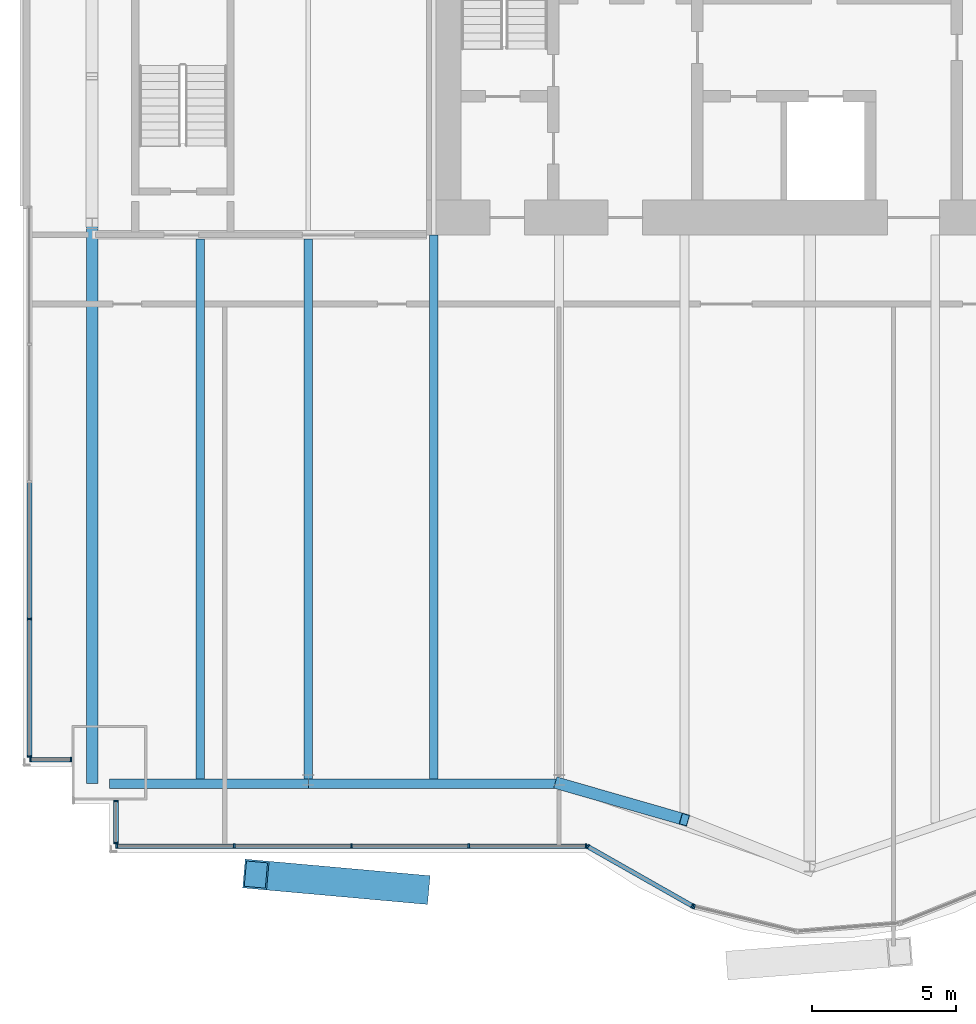
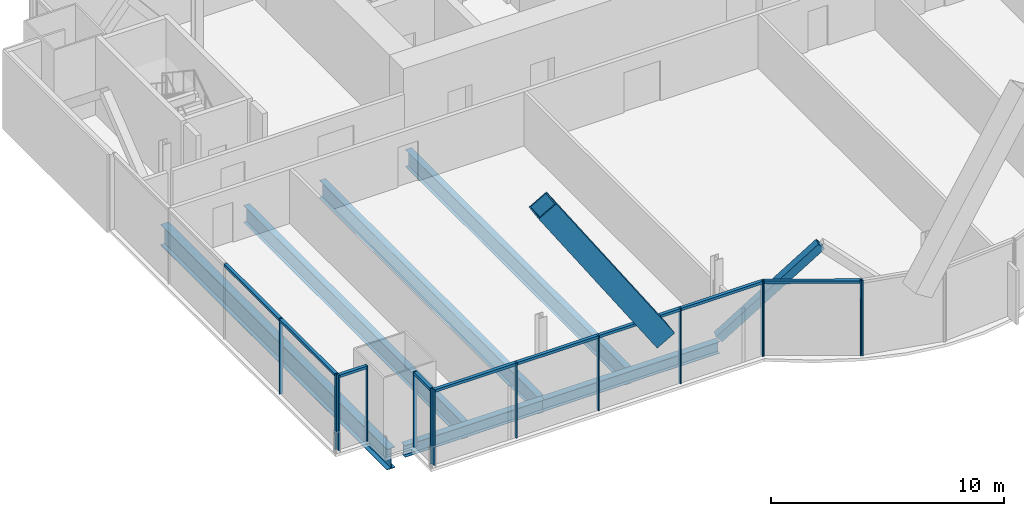
# One storey, part 5 of 22: 25 members, 6 beams, 5 elements without a shape of their own.
"""IFC4 building model written with IfcOpenShell, lengths in metres."""

from ifc_helpers import new_model, si_unit, direction, frame, origin, origin_2d, place, context, subcontext, project, spatial, rectangle, hollow_rectangle, i_section, extrude, material, material_profile, profile_set, type_object, element, aggregate, save


model = new_model("IFC4")

# Units and contexts
model_context = context("Model", 3, precision=1e-05, world=origin(), true_north=direction((0.0, 1.0)))
body_context = subcontext(model_context, "Body", "Model", "MODEL_VIEW")
ifc_project = project(units=[si_unit("LENGTHUNIT", "METRE"), si_unit("AREAUNIT", "SQUARE_METRE"), si_unit("VOLUMEUNIT", "CUBIC_METRE"), si_unit("PLANEANGLEUNIT", "RADIAN"), si_unit("MASSUNIT", "GRAM", prefix="KILO")], contexts=[model_context])

# Site, building, storey
site_placement = place(None, origin())
site = spatial("IfcSite", under=ifc_project, at=site_placement, CompositionType="ELEMENT")
building_placement = place(site_placement, origin())
building = spatial("IfcBuilding", under=site, at=building_placement, Name="Bicima Exchange Tower", CompositionType="ELEMENT")
storey_placement = place(building_placement, frame((0.0, 0.0, 169.10009765625)))
storey = spatial("IfcBuildingStorey", under=building, at=storey_placement, Name="L37", CompositionType="ELEMENT", Elevation=169.10009765625)

# Curtain wall, members
ifc_material_1 = material(Name="Anodised bronze aluminium", Category="aluminium")
curtain_wall_type_1 = type_object("IfcCurtainWallType", Name="End face glass wall", PredefinedType="NOTDEFINED", material=ifc_material_1)
curtain_wall_1_placement = place(storey_placement, origin())
curtain_wall_1 = element("IfcCurtainWall", 1, at=curtain_wall_1_placement, inside=storey, type_object=curtain_wall_type_1, Name="End face glass wall L37 run 2", PredefinedType="NOTDEFINED")
ifc_material_profile_1 = material_profile(ifc_material_1, rectangle(XDim=0.159912109375, YDim=0.06005859375, at=origin_2d()))
ifc_profile_set_1 = profile_set([ifc_material_profile_1], Name="Anodised bronze aluminium")
member_type_1 = type_object("IfcMemberType", Name="End face glass wall mullion 60 x 160", PredefinedType="MULLION", material=ifc_profile_set_1)
member_1_placement = place(storey_placement, frame((-35.77001953125, -26.32958984375, 0.0), z_axis=(0.0, 0.0, 1.0), x_axis=(1.0, 0.0, 0.0)))
member_1 = element("IfcMember", 2, at=member_1_placement, type_object=member_type_1, Name="End face glass wall mullion 4", PredefinedType="MULLION", context=body_context, shape_type="SweptSolid", body=[
    extrude(rectangle(XDim=0.159912109375, YDim=0.06005859375, at=origin_2d()), origin(), (0.0, 0.0, 1.0), 3.949951171875),
])
member_2_placement = place(storey_placement, frame((-35.77001953125, -31.095947265625, 0.0), z_axis=(0.0, 0.0, 1.0), x_axis=(1.0, 0.0, 0.0)))
member_2 = element("IfcMember", 3, at=member_2_placement, type_object=member_type_1, Name="End face glass wall mullion 5", PredefinedType="MULLION", context=body_context, shape_type="SweptSolid", body=[
    extrude(rectangle(XDim=0.159912109375, YDim=0.06005859375, at=origin_2d()), origin(), (0.0, 0.0, 1.0), 3.949951171875),
])
ifc_material_profile_2 = material_profile(ifc_material_1, rectangle(XDim=0.159912109375, YDim=0.139892578125, at=origin_2d()))
ifc_profile_set_2 = profile_set([ifc_material_profile_2], Name="Anodised bronze aluminium")
member_type_2 = type_object("IfcMemberType", Name="End face glass wall transom 140 x 160", PredefinedType="USERDEFINED", material=ifc_profile_set_2)
member_3_placement = place(storey_placement, frame((-35.77001953125, -21.593017578125, 3.8798828125), z_axis=(0.0, -1.0, 0.0), x_axis=(1.0, 0.0, 0.0)))
member_3 = element("IfcMember", 4, at=member_3_placement, type_object=member_type_2, Name="End face glass wall transom 3.1", ObjectType="TRANSOM", PredefinedType="USERDEFINED", context=body_context, shape_type="SweptSolid", body=[
    extrude(rectangle(XDim=0.159912109375, YDim=0.139892578125, at=origin_2d()), origin(), (0.0, 0.0, 1.0), 4.70654296875),
])
member_4_placement = place(storey_placement, frame((-35.77001953125, -26.359619140625, 3.8798828125), z_axis=(0.0, -1.0, 0.0), x_axis=(1.0, 0.0, 0.0)))
member_4 = element("IfcMember", 5, at=member_4_placement, type_object=member_type_2, Name="End face glass wall transom 4.1", ObjectType="TRANSOM", PredefinedType="USERDEFINED", context=body_context, shape_type="SweptSolid", body=[
    extrude(rectangle(XDim=0.159912109375, YDim=0.139892578125, at=origin_2d()), origin(), (0.0, 0.0, 1.0), 4.706298828125),
])
aggregate(curtain_wall_1, [member_1, member_2, member_3, member_4])

# Beam
ifc_material_2 = material(Name="Steel ASTM A992 Gr 50", Category="steel")
ifc_material_profile_3 = material_profile(ifc_material_2, i_section(OverallWidth=0.4013671875, OverallDepth=1.089599609375, WebThickness=0.01806640625, FlangeThickness=0.031005859375, at=origin_2d()))
ifc_profile_set_3 = profile_set([ifc_material_profile_3], Name="Steel ASTM A992 Gr 50")
beam_type_1 = type_object("IfcBeamType", Name="End girder W44x230", PredefinedType="BEAM", material=ifc_profile_set_3)
beam_1_placement = place(storey_placement, frame((-33.60009765625, -12.60009765625, -0.69482421875), z_axis=(0.0, -1.0, 0.0), x_axis=(1.0, 0.0, 0.0)))
element("IfcBeam", 6, at=beam_1_placement, inside=storey, type_object=beam_type_1, Name="End girder", PredefinedType="BEAM", context=body_context, shape_type="SweptSolid", body=[
    extrude(i_section(OverallWidth=0.4013671875, OverallDepth=1.089599609375, WebThickness=0.01806640625, FlangeThickness=0.031005859375, at=origin_2d()), origin(), (0.0, 0.0, 1.0), 19.435791015625),
])

# Member
ifc_material_3 = material(Name="Steel ASTM A572 Gr 50", Category="steel")
ifc_material_profile_4 = material_profile(ifc_material_3, hollow_rectangle(XDim=1.0, YDim=1.0, WallThickness=0.06005859375, at=origin_2d()))
ifc_profile_set_4 = profile_set([ifc_material_profile_4], Name="Steel ASTM A572 Gr 50")
member_type_3 = type_object("IfcMemberType", Name="Exo mega brace BOX 1000x1000x60", PredefinedType="BRACE", material=ifc_profile_set_4)
member_5_placement = place(storey_placement, frame((-22.333251953125, -35.694091796875, 4.066650390625), z_axis=(-0.552134579453, 0.049540015612, 0.832281919199), x_axis=(-0.089365532808, -0.995998896358, 0.0)))
element("IfcMember", 7, at=member_5_placement, inside=storey, type_object=member_type_3, Name="Exo mega brace front", PredefinedType="BRACE", context=body_context, shape_type="SweptSolid", body=[
    extrude(hollow_rectangle(XDim=1.0, YDim=1.0, WallThickness=0.06005859375, at=origin_2d()), origin(), (0.0, 0.0, 1.0), 10.112548828125),
])

# Beams
ifc_material_profile_5 = material_profile(ifc_material_2, i_section(OverallWidth=0.3046875, OverallDepth=0.904296875, WebThickness=0.01513671875, FlangeThickness=0.02001953125, at=origin_2d()))
ifc_profile_set_5 = profile_set([ifc_material_profile_5], Name="Steel ASTM A992 Gr 50")
beam_type_2 = type_object("IfcBeamType", Name="Floor beam W36x135", PredefinedType="JOIST", material=ifc_profile_set_5)
for number, where, z_axis, x_axis, name in (
    (8, (-29.85009765625, -13.15234375, -0.602294921875), (0.0, -1.0, 0.0), (1.0, 0.0, 0.0), "Floor beam"),
    (9, (-26.10009765625, -13.15234375, -0.602294921875), (0.0, -1.0, 0.0), (1.0, 0.0, 0.0), "Floor beam"),
):
    element("IfcBeam", number, at=place(storey_placement, frame(where, z_axis=z_axis, x_axis=x_axis)), inside=storey, type_object=beam_type_2, Name=name, PredefinedType="JOIST", context=body_context, shape_type="SweptSolid", body=[
        extrude(i_section(OverallWidth=0.3046875, OverallDepth=0.904296875, WebThickness=0.01513671875, FlangeThickness=0.02001953125, at=origin_2d()), origin(), (0.0, 0.0, 1.0), 18.720947265625),
    ])
beam_2_placement = place(storey_placement, frame((-21.75, -13.0, -0.602294921875), z_axis=(0.0, -1.0, 0.0), x_axis=(1.0, 0.0, 0.0)))
element("IfcBeam", 10, at=beam_2_placement, inside=storey, type_object=beam_type_2, Name="Floor beam", PredefinedType="JOIST", context=body_context, shape_type="SweptSolid", body=[
    extrude(i_section(OverallWidth=0.3046875, OverallDepth=0.904296875, WebThickness=0.01513671875, FlangeThickness=0.02001953125, at=origin_2d()), origin(), (0.0, 0.0, 1.0), 18.873291015625),
])
ifc_material_profile_6 = material_profile(ifc_material_2, i_section(OverallWidth=0.3251953125, OverallDepth=0.612060546875, WebThickness=0.0126953125, FlangeThickness=0.01904296875, at=origin_2d()))
ifc_profile_set_6 = profile_set([ifc_material_profile_6], Name="Steel ASTM A992 Gr 50")
beam_type_3 = type_object("IfcBeamType", Name="Front girder W24x104", PredefinedType="BEAM", material=ifc_profile_set_6)
beam_3_placement = place(storey_placement, frame((-33.0, -32.035888671875, -0.456298828125), z_axis=(1.0, 0.0, 0.0), x_axis=(0.0, 1.0, 0.0)))
element("IfcBeam", 11, at=beam_3_placement, inside=storey, type_object=beam_type_3, Name="Front girder", PredefinedType="BEAM", context=body_context, shape_type="SweptSolid", body=[
    extrude(i_section(OverallWidth=0.3251953125, OverallDepth=0.612060546875, WebThickness=0.0126953125, FlangeThickness=0.01904296875, at=origin_2d()), origin(), (0.0, 0.0, 1.0), 6.89990234375),
])
beam_4_placement = place(storey_placement, frame((-26.10009765625, -32.035888671875, -0.456298828125), z_axis=(1.0, 0.0, 0.0), x_axis=(0.0, 1.0, 0.0)))
element("IfcBeam", 12, at=beam_4_placement, inside=storey, type_object=beam_type_3, Name="Front girder", PredefinedType="BEAM", context=body_context, shape_type="SweptSolid", body=[
    extrude(i_section(OverallWidth=0.3251953125, OverallDepth=0.612060546875, WebThickness=0.0126953125, FlangeThickness=0.01904296875, at=origin_2d()), origin(), (0.0, 0.0, 1.0), 8.7001953125),
])

# Curtain wall, members
curtain_wall_type_2 = type_object("IfcCurtainWallType", Name="Front glass wall", PredefinedType="NOTDEFINED", material=ifc_material_1)
curtain_wall_2_placement = place(storey_placement, origin())
curtain_wall_2 = element("IfcCurtainWall", 13, at=curtain_wall_2_placement, inside=storey, type_object=curtain_wall_type_2, Name="Front glass wall L37 run 3", PredefinedType="NOTDEFINED")
member_type_4 = type_object("IfcMemberType", Name="Front glass wall mullion 60 x 160", PredefinedType="MULLION", material=ifc_profile_set_1)
member_6_placement = place(storey_placement, frame((-35.739990234375, -31.2060546875, 0.0), z_axis=(0.0, 0.0, 1.0), x_axis=(0.0, 1.0, 0.0)))
member_6 = element("IfcMember", 14, at=member_6_placement, type_object=member_type_4, Name="Front glass wall mullion 1", PredefinedType="MULLION", context=body_context, shape_type="SweptSolid", body=[
    extrude(rectangle(XDim=0.159912109375, YDim=0.06005859375, at=origin_2d()), origin(), (0.0, 0.0, 1.0), 3.949951171875),
])
member_7_placement = place(storey_placement, frame((-34.330078125, -31.2060546875, 0.0), z_axis=(0.0, 0.0, 1.0), x_axis=(0.0, 1.0, 0.0)))
member_7 = element("IfcMember", 15, at=member_7_placement, type_object=member_type_4, Name="Front glass wall mullion 2", PredefinedType="MULLION", context=body_context, shape_type="SweptSolid", body=[
    extrude(rectangle(XDim=0.159912109375, YDim=0.06005859375, at=origin_2d()), origin(), (0.0, 0.0, 1.0), 3.949951171875),
])

curtain_wall_3_placement = place(storey_placement, origin())
curtain_wall_3 = element("IfcCurtainWall", 16, at=curtain_wall_3_placement, inside=storey, type_object=curtain_wall_type_2, Name="Front glass wall L37 run 4", PredefinedType="NOTDEFINED")
member_8_placement = place(storey_placement, frame((-32.77001953125, -32.64404296875, 0.0), z_axis=(0.0, 0.0, 1.0), x_axis=(1.0, 0.0, 0.0)))
member_8 = element("IfcMember", 17, at=member_8_placement, type_object=member_type_4, Name="Front glass wall mullion 1", PredefinedType="MULLION", context=body_context, shape_type="SweptSolid", body=[
    extrude(rectangle(XDim=0.159912109375, YDim=0.06005859375, at=origin_2d()), origin(), (0.0, 0.0, 1.0), 3.949951171875),
])
member_9_placement = place(storey_placement, frame((-32.77001953125, -34.095947265625, 0.0), z_axis=(0.0, 0.0, 1.0), x_axis=(1.0, 0.0, 0.0)))
member_9 = element("IfcMember", 18, at=member_9_placement, type_object=member_type_4, Name="Front glass wall mullion 2", PredefinedType="MULLION", context=body_context, shape_type="SweptSolid", body=[
    extrude(rectangle(XDim=0.159912109375, YDim=0.06005859375, at=origin_2d()), origin(), (0.0, 0.0, 1.0), 3.949951171875),
])

curtain_wall_4_placement = place(storey_placement, origin())
curtain_wall_4 = element("IfcCurtainWall", 19, at=curtain_wall_4_placement, inside=storey, type_object=curtain_wall_type_2, Name="Front glass wall L37 run 5", PredefinedType="NOTDEFINED")
member_10_placement = place(storey_placement, frame((-32.739990234375, -34.2060546875, 0.0), z_axis=(0.0, 0.0, 1.0), x_axis=(0.0, 1.0, 0.0)))
member_10 = element("IfcMember", 20, at=member_10_placement, type_object=member_type_4, Name="Front glass wall mullion 1", PredefinedType="MULLION", context=body_context, shape_type="SweptSolid", body=[
    extrude(rectangle(XDim=0.159912109375, YDim=0.06005859375, at=origin_2d()), origin(), (0.0, 0.0, 1.0), 3.949951171875),
])
member_11_placement = place(storey_placement, frame((-28.67041015625, -34.2060546875, 0.0), z_axis=(0.0, 0.0, 1.0), x_axis=(0.0, 1.0, 0.0)))
member_11 = element("IfcMember", 21, at=member_11_placement, type_object=member_type_4, Name="Front glass wall mullion 2", PredefinedType="MULLION", context=body_context, shape_type="SweptSolid", body=[
    extrude(rectangle(XDim=0.159912109375, YDim=0.06005859375, at=origin_2d()), origin(), (0.0, 0.0, 1.0), 3.949951171875),
])
member_12_placement = place(storey_placement, frame((-24.60107421875, -34.2060546875, 0.0), z_axis=(0.0, 0.0, 1.0), x_axis=(0.0, 1.0, 0.0)))
member_12 = element("IfcMember", 22, at=member_12_placement, type_object=member_type_4, Name="Front glass wall mullion 3", PredefinedType="MULLION", context=body_context, shape_type="SweptSolid", body=[
    extrude(rectangle(XDim=0.159912109375, YDim=0.06005859375, at=origin_2d()), origin(), (0.0, 0.0, 1.0), 3.949951171875),
])
member_13_placement = place(storey_placement, frame((-20.531494140625, -34.2060546875, 0.0), z_axis=(0.0, 0.0, 1.0), x_axis=(0.0, 1.0, 0.0)))
member_13 = element("IfcMember", 23, at=member_13_placement, type_object=member_type_4, Name="Front glass wall mullion 4", PredefinedType="MULLION", context=body_context, shape_type="SweptSolid", body=[
    extrude(rectangle(XDim=0.159912109375, YDim=0.06005859375, at=origin_2d()), origin(), (0.0, 0.0, 1.0), 3.949951171875),
])
member_14_placement = place(storey_placement, frame((-16.462158203125, -34.2060546875, 0.0), z_axis=(0.0, 0.0, 1.0), x_axis=(0.0, 1.0, 0.0)))
member_14 = element("IfcMember", 24, at=member_14_placement, type_object=member_type_4, Name="Front glass wall mullion 5", PredefinedType="MULLION", context=body_context, shape_type="SweptSolid", body=[
    extrude(rectangle(XDim=0.159912109375, YDim=0.06005859375, at=origin_2d()), origin(), (0.0, 0.0, 1.0), 3.949951171875),
])

curtain_wall_5_placement = place(storey_placement, origin())
curtain_wall_5 = element("IfcCurtainWall", 25, at=curtain_wall_5_placement, inside=storey, type_object=curtain_wall_type_2, Name="Front glass wall L37 run 6", PredefinedType="NOTDEFINED")
member_15_placement = place(storey_placement, frame((-16.406005859375, -34.220703125, 0.0), z_axis=(0.0, 0.0, 1.0), x_axis=(0.493395449343, 0.869805110681, 0.0)))
member_15 = element("IfcMember", 26, at=member_15_placement, type_object=member_type_4, Name="Front glass wall mullion 1", PredefinedType="MULLION", context=body_context, shape_type="SweptSolid", body=[
    extrude(rectangle(XDim=0.159912109375, YDim=0.06005859375, at=origin_2d()), origin(), (0.0, 0.0, 1.0), 3.949951171875),
])
member_16_placement = place(storey_placement, frame((-12.7734375, -36.281494140625, 0.0), z_axis=(0.0, 0.0, 1.0), x_axis=(0.493395449343, 0.869805110681, 0.0)))
member_16 = element("IfcMember", 27, at=member_16_placement, type_object=member_type_4, Name="Front glass wall mullion 2", PredefinedType="MULLION", context=body_context, shape_type="SweptSolid", body=[
    extrude(rectangle(XDim=0.159912109375, YDim=0.06005859375, at=origin_2d()), origin(), (0.0, 0.0, 1.0), 3.949951171875),
])
member_17_placement = place(storey_placement, frame((-12.718017578125, -36.30322265625, 0.0), z_axis=(0.0, 0.0, 1.0), x_axis=(0.235681529503, 0.971830343553, 0.0)))
member_17 = element("IfcMember", 28, at=member_17_placement, type_object=member_type_4, Name="Front glass wall mullion 1", PredefinedType="MULLION", context=body_context, shape_type="SweptSolid", body=[
    extrude(rectangle(XDim=0.159912109375, YDim=0.06005859375, at=origin_2d()), origin(), (0.0, 0.0, 1.0), 3.949951171875),
])

# Member
member_type_5 = type_object("IfcMemberType", Name="Front glass wall transom 140 x 160", PredefinedType="USERDEFINED", material=ifc_profile_set_2)
member_18_placement = place(storey_placement, frame((-35.7099609375, -31.2060546875, 3.8798828125), z_axis=(1.0, 0.0, 0.0), x_axis=(0.0, 1.0, 0.0)))
member_18 = element("IfcMember", 29, at=member_18_placement, type_object=member_type_5, Name="Front glass wall transom 1.1", ObjectType="TRANSOM", PredefinedType="USERDEFINED", context=body_context, shape_type="SweptSolid", body=[
    extrude(rectangle(XDim=0.159912109375, YDim=0.139892578125, at=origin_2d()), origin(), (0.0, 0.0, 1.0), 1.349853515625),
])

aggregate(curtain_wall_2, [member_6, member_7, member_18])

member_19_placement = place(storey_placement, frame((-32.77001953125, -32.674072265625, 3.8798828125), z_axis=(0.0, -1.0, 0.0), x_axis=(1.0, 0.0, 0.0)))
member_19 = element("IfcMember", 30, at=member_19_placement, type_object=member_type_5, Name="Front glass wall transom 1.1", ObjectType="TRANSOM", PredefinedType="USERDEFINED", context=body_context, shape_type="SweptSolid", body=[
    extrude(rectangle(XDim=0.159912109375, YDim=0.139892578125, at=origin_2d()), origin(), (0.0, 0.0, 1.0), 1.391845703125),
])

aggregate(curtain_wall_3, [member_8, member_9, member_19])

member_20_placement = place(storey_placement, frame((-32.7099609375, -34.2060546875, 3.8798828125), z_axis=(1.0, 0.0, 0.0), x_axis=(0.0, 1.0, 0.0)))
member_20 = element("IfcMember", 31, at=member_20_placement, type_object=member_type_5, Name="Front glass wall transom 1.1", ObjectType="TRANSOM", PredefinedType="USERDEFINED", context=body_context, shape_type="SweptSolid", body=[
    extrude(rectangle(XDim=0.159912109375, YDim=0.139892578125, at=origin_2d()), origin(), (0.0, 0.0, 1.0), 4.009521484375),
])

member_21_placement = place(storey_placement, frame((-28.640380859375, -34.2060546875, 3.8798828125), z_axis=(1.0, 0.0, 0.0), x_axis=(0.0, 1.0, 0.0)))
member_21 = element("IfcMember", 32, at=member_21_placement, type_object=member_type_5, Name="Front glass wall transom 2.1", ObjectType="TRANSOM", PredefinedType="USERDEFINED", context=body_context, shape_type="SweptSolid", body=[
    extrude(rectangle(XDim=0.159912109375, YDim=0.139892578125, at=origin_2d()), origin(), (0.0, 0.0, 1.0), 4.00927734375),
])

member_22_placement = place(storey_placement, frame((-24.571044921875, -34.2060546875, 3.8798828125), z_axis=(1.0, 0.0, 0.0), x_axis=(0.0, 1.0, 0.0)))
member_22 = element("IfcMember", 33, at=member_22_placement, type_object=member_type_5, Name="Front glass wall transom 3.1", ObjectType="TRANSOM", PredefinedType="USERDEFINED", context=body_context, shape_type="SweptSolid", body=[
    extrude(rectangle(XDim=0.159912109375, YDim=0.139892578125, at=origin_2d()), origin(), (0.0, 0.0, 1.0), 4.009521484375),
])

member_23_placement = place(storey_placement, frame((-20.501708984375, -34.2060546875, 3.8798828125), z_axis=(1.0, 0.0, 0.0), x_axis=(0.0, 1.0, 0.0)))
member_23 = element("IfcMember", 34, at=member_23_placement, type_object=member_type_5, Name="Front glass wall transom 4.1", ObjectType="TRANSOM", PredefinedType="USERDEFINED", context=body_context, shape_type="SweptSolid", body=[
    extrude(rectangle(XDim=0.159912109375, YDim=0.139892578125, at=origin_2d()), origin(), (0.0, 0.0, 1.0), 4.009521484375),
])

aggregate(curtain_wall_4, [member_10, member_11, member_12, member_13, member_14, member_20, member_21, member_22, member_23])

member_24_placement = place(storey_placement, frame((-16.3798828125, -34.235595703125, 3.8798828125), z_axis=(0.869797371721, -0.49340909208, 0.0), x_axis=(0.49340909208, 0.869797371721, 0.0)))
member_24 = element("IfcMember", 35, at=member_24_placement, type_object=member_type_5, Name="Front glass wall transom 1.1", ObjectType="TRANSOM", PredefinedType="USERDEFINED", context=body_context, shape_type="SweptSolid", body=[
    extrude(rectangle(XDim=0.159912109375, YDim=0.139892578125, at=origin_2d()), origin(), (0.0, 0.0, 1.0), 4.1162109375),
])

aggregate(curtain_wall_5, [member_15, member_16, member_24, member_17])

ifc_material_profile_7 = material_profile(ifc_material_3, hollow_rectangle(XDim=0.406494140625, YDim=0.406494140625, WallThickness=0.017822265625, at=origin_2d()))
ifc_profile_set_7 = profile_set([ifc_material_profile_7], Name="Steel ASTM A572 Gr 50")
member_type_6 = type_object("IfcMemberType", Name="Mega brace HSS16x16x3/4", PredefinedType="BRACE", material=ifc_profile_set_7)
member_25_placement = place(storey_placement, frame((-17.39990234375, -32.035888671875, 0.0), z_axis=(0.712260478479, -0.204959278956, 0.671324589723), x_axis=(0.276537209588, 0.961003211084, 0.0)))
element("IfcMember", 36, at=member_25_placement, inside=storey, type_object=member_type_6, Name="Mega brace front", PredefinedType="BRACE", context=body_context, shape_type="SweptSolid", body=[
    extrude(hollow_rectangle(XDim=0.406494140625, YDim=0.406494140625, WallThickness=0.017822265625, at=origin_2d()), origin(), (0.0, 0.0, 1.0), 6.107177734375),
])

save(model, "model.ifc")
